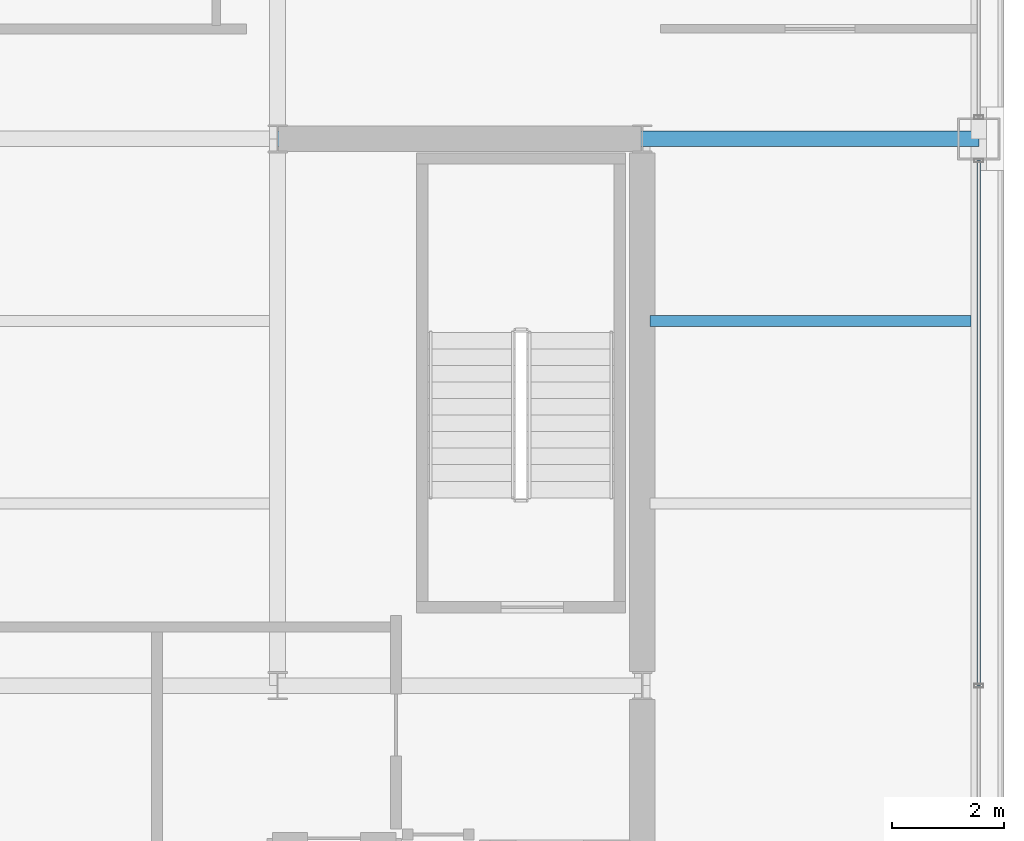
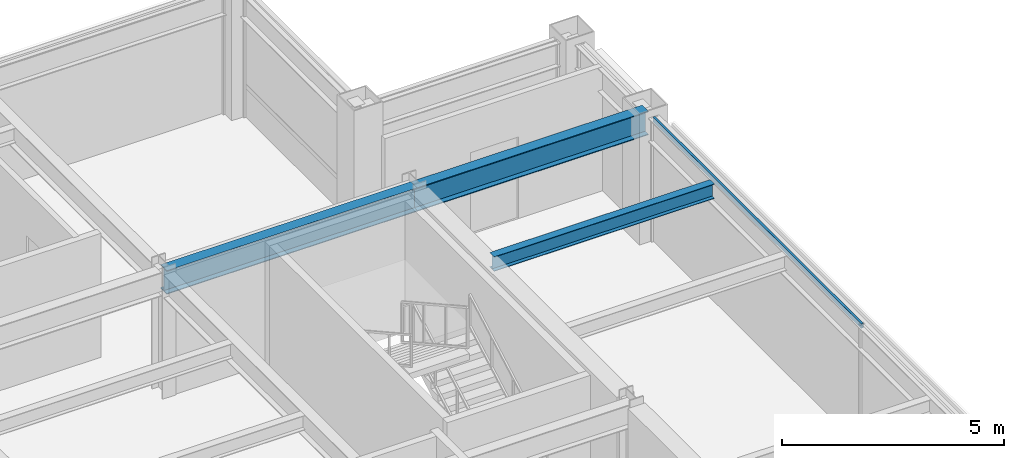
# One storey, part 17 of 31: 3 beams, 1 member, 1 element without a shape of its own.
"""IFC4 building model written with IfcOpenShell, lengths in metres."""

from ifc_helpers import new_model, si_unit, direction, frame, origin, origin_2d, place, context, subcontext, project, spatial, hollow_rectangle, i_section, extrude, material, layer, layer_set, material_profile, profile_set, type_object, element, aggregate, save


model = new_model("IFC4")

# Units and contexts
model_context = context("Model", 3, precision=1e-05, world=origin(), true_north=direction((0.0, 1.0)))
body_context = subcontext(model_context, "Body", "Model", "MODEL_VIEW")
ifc_project = project(units=[si_unit("LENGTHUNIT", "METRE"), si_unit("AREAUNIT", "SQUARE_METRE"), si_unit("VOLUMEUNIT", "CUBIC_METRE"), si_unit("PLANEANGLEUNIT", "RADIAN"), si_unit("MASSUNIT", "GRAM", prefix="KILO")], contexts=[model_context])

# Site, building, storey
site_placement = place(None, origin())
site = spatial("IfcSite", under=ifc_project, at=site_placement, CompositionType="ELEMENT")
building_placement = place(site_placement, origin())
building = spatial("IfcBuilding", under=site, at=building_placement, Name="Brelmoor Portico Tower", CompositionType="ELEMENT")
storey_placement = place(building_placement, frame((0.0, 0.0, 176.699951171875)))
storey = spatial("IfcBuildingStorey", under=building, at=storey_placement, Name="L46", CompositionType="ELEMENT", Elevation=176.699951171875)

# Beams
ifc_material_1 = material(Name="Steel Q355B", Category="steel")
ifc_material_profile_1 = material_profile(ifc_material_1, i_section(OverallWidth=0.199951171875, OverallDepth=0.39990234375, WebThickness=0.008056640625, FlangeThickness=0.012939453125, at=origin_2d()), Name="HN 400x200x8x13")
ifc_profile_set_1 = profile_set([ifc_material_profile_1], Name="Steel Q355B")
beam_type_1 = type_object("IfcBeamType", Name="BM-JS-400", PredefinedType="JOIST", material=ifc_profile_set_1)
beam_1_placement = place(storey_placement, frame((14.68994140625, 6.5, 3.199951171875), z_axis=(1.0, 0.0, 0.0), x_axis=(0.0, 1.0, 0.0)))
element("IfcBeam", 1, at=beam_1_placement, inside=storey, type_object=beam_type_1, Name="L46 Secondary Wing Joist JS-E12", PredefinedType="JOIST", context=body_context, shape_type="SweptSolid", body=[
    extrude(i_section(OverallWidth=0.199951171875, OverallDepth=0.39990234375, WebThickness=0.008056640625, FlangeThickness=0.012939453125, at=origin_2d()), origin(), (0.0, 0.0, 1.0), 5.719970703125),
])
ifc_material_profile_2 = material_profile(ifc_material_1, i_section(OverallWidth=0.280029296875, OverallDepth=0.64990234375, WebThickness=0.012939453125, FlangeThickness=0.02197265625, at=origin_2d()), Name="HN 650x280x13x22")
ifc_profile_set_2 = profile_set([ifc_material_profile_2], Name="Steel Q355B")
beam_type_2 = type_object("IfcBeamType", Name="BM-PG-650", PredefinedType="BEAM", material=ifc_profile_set_2)
beam_2_placement = place(storey_placement, frame((8.050048828125, 9.75, 3.074951171875), z_axis=(1.0, 0.0, 0.0), x_axis=(0.0, 1.0, 0.0)))
element("IfcBeam", 2, at=beam_2_placement, inside=storey, type_object=beam_type_2, Name="L46 Primary Floor Girder PG-22", PredefinedType="BEAM", context=body_context, shape_type="SweptSolid", body=[
    extrude(i_section(OverallWidth=0.280029296875, OverallDepth=0.64990234375, WebThickness=0.012939453125, FlangeThickness=0.02197265625, at=origin_2d()), origin(), (0.0, 0.0, 1.0), 6.5),
])
beam_3_placement = place(storey_placement, frame((14.550048828125, 9.75, 3.074951171875), z_axis=(1.0, 0.0, 0.0), x_axis=(0.0, 1.0, 0.0)))
element("IfcBeam", 3, at=beam_3_placement, inside=storey, type_object=beam_type_2, Name="L46 Primary Floor Girder PG-23", PredefinedType="BEAM", context=body_context, shape_type="SweptSolid", body=[
    extrude(i_section(OverallWidth=0.280029296875, OverallDepth=0.64990234375, WebThickness=0.012939453125, FlangeThickness=0.02197265625, at=origin_2d()), origin(), (0.0, 0.0, 1.0), 6.0),
])

# Curtain wall, member
ifc_material_2 = material(Name="Anodised Aluminium Alloy 6063-T6", Category="aluminium")
ifc_layer = layer(ifc_material_2, 0.179931640625)
ifc_layer_set = layer_set([ifc_layer], Name="Anodised Aluminium Alloy 6063-T6")
curtain_wall_type = type_object("IfcCurtainWallType", Name="CW-TOWER-Z3-XB", PredefinedType="NOTDEFINED", material=ifc_layer_set)
curtain_wall_placement = place(storey_placement, origin())
curtain_wall = element("IfcCurtainWall", 4, at=curtain_wall_placement, inside=storey, type_object=curtain_wall_type, Name="L46 Curtain Wall CW-L46-04-2", PredefinedType="NOTDEFINED")
ifc_material_profile_3 = material_profile(ifc_material_2, hollow_rectangle(XDim=0.06005859375, YDim=0.125, WallThickness=0.00341796875, at=origin_2d()), Name="ALU TRANSOM 60x125")
ifc_profile_set_3 = profile_set([ifc_material_profile_3], Name="Anodised Aluminium Alloy 6063-T6")
member_type = type_object("IfcMemberType", Name="MB-CW-TRAN-125", PredefinedType="USERDEFINED", material=ifc_profile_set_3)
member_placement = place(storey_placement, frame((20.550048828125, 0.0, 3.337646484375), z_axis=(0.0, 1.0, 0.0), x_axis=(-1.0, 0.0, 0.0)))
member = element("IfcMember", 5, at=member_placement, type_object=member_type, Name="CW-L46-04-2 Transom 1-01", ObjectType="TRANSOM", PredefinedType="USERDEFINED", context=body_context, shape_type="SweptSolid", body=[
    extrude(hollow_rectangle(XDim=0.06005859375, YDim=0.125, WallThickness=0.00341796875, at=origin_2d()), origin(), (0.0, 0.0, 1.0), 9.364990234375),
])
aggregate(curtain_wall, [member])

save(model, "model.ifc")
